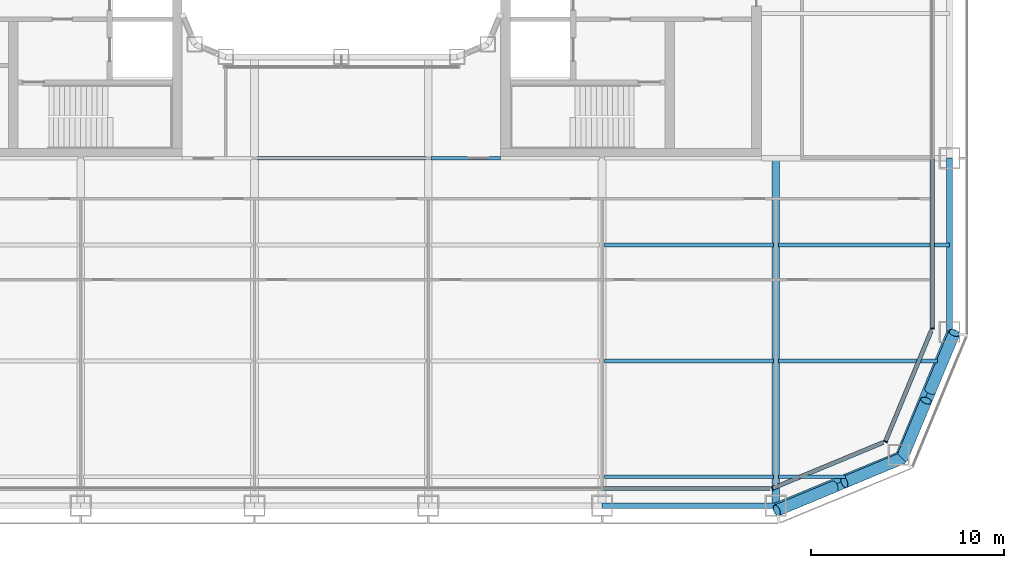
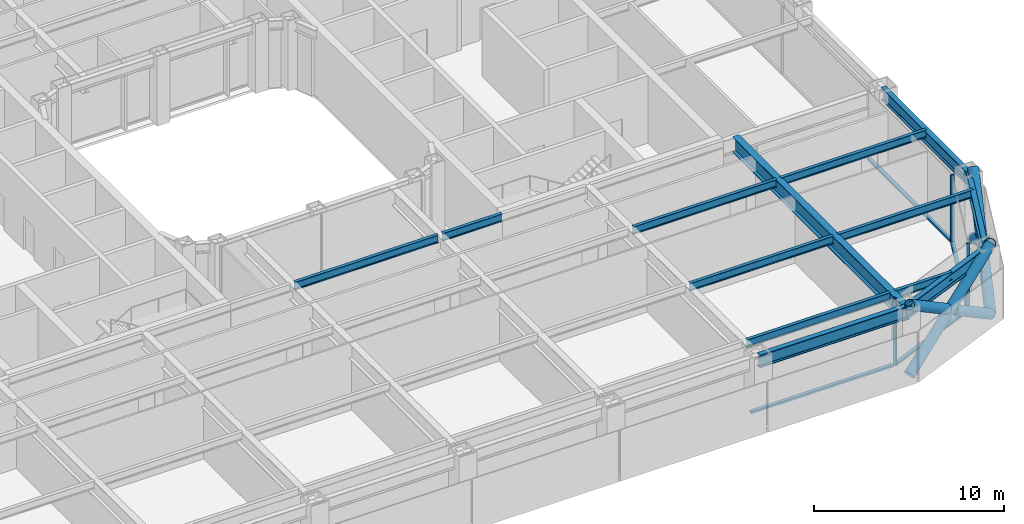
# One storey, part 4 of 30: 13 beams, 13 members, 4 elements without a shape of their own.
"""IFC4 building model written with IfcOpenShell, lengths in metres."""

from ifc_helpers import new_model, si_unit, direction, frame, origin, origin_2d, place, context, subcontext, project, spatial, rectangle, hollow_circle, i_section, extrude, material, layer, layer_set, material_profile, profile_set, type_object, element, aggregate, save


model = new_model("IFC4")

# Units and contexts
model_context = context("Model", 3, precision=1e-05, world=origin(), true_north=direction((0.0, 1.0)))
body_context = subcontext(model_context, "Body", "Model", "MODEL_VIEW")
ifc_project = project(units=[si_unit("LENGTHUNIT", "METRE"), si_unit("AREAUNIT", "SQUARE_METRE"), si_unit("VOLUMEUNIT", "CUBIC_METRE"), si_unit("PLANEANGLEUNIT", "RADIAN"), si_unit("MASSUNIT", "GRAM", prefix="KILO")], contexts=[model_context])

# Site, building, storey
site_placement = place(None, origin())
site = spatial("IfcSite", under=ifc_project, at=site_placement, CompositionType="ELEMENT")
building_placement = place(site_placement, origin())
building = spatial("IfcBuilding", under=site, at=building_placement, Name="Siwar Civic Tower", CompositionType="ELEMENT")
storey_placement = place(building_placement, frame((0.0, 0.0, 26.699951171875)))
storey = spatial("IfcBuildingStorey", under=building, at=storey_placement, Name="L05", CompositionType="ELEMENT", Elevation=26.699951171875)

# Curtain wall, member
ifc_material_1 = material(Name="Aluminium clad insulated panel", Category="aluminium")
ifc_layer_1 = layer(ifc_material_1, 0.219970703125)
ifc_layer_set_1 = layer_set([ifc_layer_1], Name="Aluminium clad insulated panel")
curtain_wall_type_1 = type_object("IfcCurtainWallType", Name="ENV-CW-AX", PredefinedType="NOTDEFINED", material=ifc_layer_set_1)
curtain_wall_1_placement = place(storey_placement, origin())
curtain_wall_1 = element("IfcCurtainWall", 1, at=curtain_wall_1_placement, inside=storey, type_object=curtain_wall_type_1, Name="Curtain wall A SE1", PredefinedType="NOTDEFINED")
ifc_material_2 = material(Name="Aluminium 6063-T6", Category="aluminium")
ifc_material_profile_1 = material_profile(ifc_material_2, rectangle(XDim=0.219970703125, YDim=0.070068359375, at=origin_2d()), Name="AL 220x70")
ifc_profile_set_1 = profile_set([ifc_material_profile_1], Name="Aluminium 6063-T6")
member_type_1 = type_object("IfcMemberType", Name="ENV-MULLION-A", PredefinedType="MULLION", material=ifc_profile_set_1)
member_1_placement = place(storey_placement, frame((22.321044921875, -30.60009765625, 0.0), z_axis=(0.0, 0.0, 1.0), x_axis=(-0.382683432365, 0.923879532511, 0.0)))
member_1 = element("IfcMember", 2, at=member_1_placement, type_object=member_type_1, Name="Mullion A SE1 1", PredefinedType="MULLION", context=body_context, shape_type="SweptSolid", body=[
    extrude(rectangle(XDim=0.219970703125, YDim=0.070068359375, at=origin_2d()), origin(), (0.0, 0.0, 1.0), 4.35009765625),
])

curtain_wall_2_placement = place(storey_placement, origin())
curtain_wall_2 = element("IfcCurtainWall", 3, at=curtain_wall_2_placement, inside=storey, type_object=curtain_wall_type_1, Name="Curtain wall A SE2", PredefinedType="NOTDEFINED")
member_2_placement = place(storey_placement, frame((28.175048828125, -28.175048828125, 0.0), z_axis=(0.0, 0.0, 1.0), x_axis=(-0.923879532511, 0.382683432365, 0.0)))
member_2 = element("IfcMember", 4, at=member_2_placement, type_object=member_type_1, Name="Mullion A SE2 1", PredefinedType="MULLION", context=body_context, shape_type="SweptSolid", body=[
    extrude(rectangle(XDim=0.219970703125, YDim=0.070068359375, at=origin_2d()), origin(), (0.0, 0.0, 1.0), 4.35009765625),
])

ifc_material_3 = material(Name="Aluminium and glass", Category="aluminium")
ifc_layer_2 = layer(ifc_material_3, 0.219970703125)
ifc_layer_set_2 = layer_set([ifc_layer_2], Name="Aluminium and glass")
curtain_wall_type_2 = type_object("IfcCurtainWallType", Name="ENV-CW-A", PredefinedType="NOTDEFINED", material=ifc_layer_set_2)
curtain_wall_3_placement = place(storey_placement, origin())
curtain_wall_3 = element("IfcCurtainWall", 5, at=curtain_wall_3_placement, inside=storey, type_object=curtain_wall_type_2, Name="Curtain wall A E", PredefinedType="NOTDEFINED")
member_3_placement = place(storey_placement, frame((30.60009765625, -22.321044921875, 0.0), z_axis=(0.0, 0.0, 1.0), x_axis=(-1.0, 0.0, 0.0)))
member_3 = element("IfcMember", 6, at=member_3_placement, type_object=member_type_1, Name="Mullion A E 1", PredefinedType="MULLION", context=body_context, shape_type="SweptSolid", body=[
    extrude(rectangle(XDim=0.219970703125, YDim=0.070068359375, at=origin_2d()), origin(), (0.0, 0.0, 1.0), 4.35009765625),
])

curtain_wall_4_placement = place(storey_placement, origin())
curtain_wall_4 = element("IfcCurtainWall", 7, at=curtain_wall_4_placement, inside=storey, type_object=curtain_wall_type_2, Name="Curtain wall A S", PredefinedType="NOTDEFINED")
ifc_material_4 = material(Name="Aluminium 6063-T6", Category="aluminium")
ifc_material_profile_2 = material_profile(ifc_material_4, rectangle(XDim=0.219970703125, YDim=0.1201171875, at=origin_2d()), Name="AL 220x120")
ifc_profile_set_2 = profile_set([ifc_material_profile_2], Name="Aluminium 6063-T6")
member_type_2 = type_object("IfcMemberType", Name="ENV-TRANSOM-A", PredefinedType="USERDEFINED", material=ifc_profile_set_2)
member_4_placement = place(storey_placement, frame((13.534912109375, -30.60009765625, 0.06005859375), z_axis=(1.0, 0.0, 0.0), x_axis=(0.0, 1.0, 0.0)))
member_4 = element("IfcMember", 8, at=member_4_placement, type_object=member_type_2, Name="Transom A S 5", ObjectType="TRANSOM", PredefinedType="USERDEFINED", context=body_context, shape_type="SweptSolid", body=[
    extrude(rectangle(XDim=0.219970703125, YDim=0.1201171875, at=origin_2d()), origin(), (0.0, 0.0, 1.0), 8.66357421875),
])
aggregate(curtain_wall_4, [member_4])

# Member
member_5_placement = place(storey_placement, frame((22.353271484375, -30.586669921875, 0.06005859375), z_axis=(0.923873326341, 0.382698415042, 0.0), x_axis=(-0.382698415042, 0.923873326341, 0.0)))
member_5 = element("IfcMember", 9, at=member_5_placement, type_object=member_type_2, Name="Transom A SE1 1", ObjectType="TRANSOM", PredefinedType="USERDEFINED", context=body_context, shape_type="SweptSolid", body=[
    extrude(rectangle(XDim=0.219970703125, YDim=0.1201171875, at=origin_2d()), origin(), (0.0, 0.0, 1.0), 6.17919921875),
])

aggregate(curtain_wall_1, [member_1, member_5])

member_6_placement = place(storey_placement, frame((28.1884765625, -28.142822265625, 0.06005859375), z_axis=(0.382698415042, 0.923873326341, 0.0), x_axis=(-0.923873326341, 0.382698415042, 0.0)))
member_6 = element("IfcMember", 10, at=member_6_placement, type_object=member_type_2, Name="Transom A SE2 1", ObjectType="TRANSOM", PredefinedType="USERDEFINED", context=body_context, shape_type="SweptSolid", body=[
    extrude(rectangle(XDim=0.219970703125, YDim=0.1201171875, at=origin_2d()), origin(), (0.0, 0.0, 1.0), 6.17919921875),
])

aggregate(curtain_wall_2, [member_2, member_6])

member_7_placement = place(storey_placement, frame((30.60009765625, -22.285888671875, 0.06005859375), z_axis=(0.0, 1.0, 0.0), x_axis=(-1.0, 0.0, 0.0)))
member_7 = element("IfcMember", 11, at=member_7_placement, type_object=member_type_2, Name="Transom A E 1", ObjectType="TRANSOM", PredefinedType="USERDEFINED", context=body_context, shape_type="SweptSolid", body=[
    extrude(rectangle(XDim=0.219970703125, YDim=0.1201171875, at=origin_2d()), origin(), (0.0, 0.0, 1.0), 8.7509765625),
])

aggregate(curtain_wall_3, [member_3, member_7])

# Members
ifc_material_5 = material(Name="Steel S355", Category="steel")
ifc_material_profile_3 = material_profile(ifc_material_5, hollow_circle(Radius=0.304931640625, WallThickness=0.030029296875, at=origin_2d()), Name="CHS610x30")
ifc_profile_set_3 = profile_set([ifc_material_profile_3], Name="Steel S355")
member_type_3 = type_object("IfcMemberType", Name="STR-BR-CHS610x30", PredefinedType="BRACE", material=ifc_profile_set_3)
member_8_placement = place(storey_placement, frame((31.7451171875, -22.548828125, 0.0), z_axis=(-0.323905527954, -0.777554562952, 0.538975055633), x_axis=(0.923108759191, -0.384538969033, 0.0)))
element("IfcMember", 12, at=member_8_placement, inside=storey, type_object=member_type_3, Name="L05/brc/ASE1-4-0-1", PredefinedType="BRACE", context=body_context, shape_type="SweptSolid", body=[
    extrude(hollow_circle(Radius=0.304931640625, WallThickness=0.030029296875, at=origin_2d()), origin(), (0.0, 0.0, 1.0), 8.34912109375),
])
member_9_placement = place(storey_placement, frame((29.040771484375, -29.040771484375, 0.0), z_axis=(0.323922979564, 0.777542179573, 0.53898243227), x_axis=(-0.923099230484, 0.384561842466, 0.0)))
element("IfcMember", 13, at=member_9_placement, inside=storey, type_object=member_type_3, Name="L05/brc/ASE1-4-0-2", PredefinedType="BRACE", context=body_context, shape_type="SweptSolid", body=[
    extrude(hollow_circle(Radius=0.304931640625, WallThickness=0.030029296875, at=origin_2d()), origin(), (0.0, 0.0, 1.0), 3.84375),
])
member_10_placement = place(storey_placement, frame((30.500244140625, -25.537353515625, 2.428466796875), z_axis=(0.3238932121, 0.777559680196, 0.53897507446), x_axis=(-0.923114847559, 0.384524353215, 0.0)))
element("IfcMember", 14, at=member_10_placement, inside=storey, type_object=member_type_3, Name="L05/brc/ASE1-4-0-3", PredefinedType="BRACE", context=body_context, shape_type="SweptSolid", body=[
    extrude(hollow_circle(Radius=0.304931640625, WallThickness=0.030029296875, at=origin_2d()), origin(), (0.0, 0.0, 1.0), 3.843505859375),
])
member_11_placement = place(storey_placement, frame((22.548828125, -31.7451171875, 0.0), z_axis=(0.777554562952, 0.323905527954, 0.538975055633), x_axis=(-0.384538969033, 0.923108759191, 0.0)))
element("IfcMember", 15, at=member_11_placement, inside=storey, type_object=member_type_3, Name="L05/brc/ASE1-4-0-0", PredefinedType="BRACE", context=body_context, shape_type="SweptSolid", body=[
    extrude(hollow_circle(Radius=0.304931640625, WallThickness=0.030029296875, at=origin_2d()), origin(), (0.0, 0.0, 1.0), 8.34912109375),
])
member_12_placement = place(storey_placement, frame((29.040771484375, -29.040771484375, 0.0), z_axis=(-0.777542179573, -0.323922979564, 0.53898243227), x_axis=(0.384561842466, -0.923099230484, 0.0)))
element("IfcMember", 16, at=member_12_placement, inside=storey, type_object=member_type_3, Name="L05/brc/ASE1-4-0-4", PredefinedType="BRACE", context=body_context, shape_type="SweptSolid", body=[
    extrude(hollow_circle(Radius=0.304931640625, WallThickness=0.030029296875, at=origin_2d()), origin(), (0.0, 0.0, 1.0), 3.84375),
])
member_13_placement = place(storey_placement, frame((25.537353515625, -30.500244140625, 2.428466796875), z_axis=(-0.777559680196, -0.3238932121, 0.53897507446), x_axis=(0.384524353215, -0.923114847559, 0.0)))
element("IfcMember", 17, at=member_13_placement, inside=storey, type_object=member_type_3, Name="L05/brc/ASE1-4-0-5", PredefinedType="BRACE", context=body_context, shape_type="SweptSolid", body=[
    extrude(hollow_circle(Radius=0.304931640625, WallThickness=0.030029296875, at=origin_2d()), origin(), (0.0, 0.0, 1.0), 3.843505859375),
])

# Beams
ifc_material_6 = material(Name="Steel S355", Category="steel")
ifc_material_profile_4 = material_profile(ifc_material_6, i_section(OverallWidth=0.199951171875, OverallDepth=0.5, WebThickness=0.01025390625, FlangeThickness=0.01611328125, FilletRadius=0.02099609375, at=origin_2d()), Name="IPE500")
ifc_profile_set_4 = profile_set([ifc_material_profile_4], Name="Steel S355")
beam_type_1 = type_object("IfcBeamType", Name="STR-FB-IPE500", PredefinedType="JOIST", material=ifc_profile_set_4)
beam_1_placement = place(storey_placement, frame((13.6298828125, -30.0, 4.10009765625), z_axis=(1.0, 0.0, 0.0), x_axis=(0.0, 1.0, 0.0)))
element("IfcBeam", 18, at=beam_1_placement, inside=storey, type_object=beam_type_1, Name="L05/bm/F006", PredefinedType="JOIST", context=body_context, shape_type="SweptSolid", body=[
    extrude(i_section(OverallWidth=0.199951171875, OverallDepth=0.5, WebThickness=0.01025390625, FlangeThickness=0.01611328125, FilletRadius=0.02099609375, at=origin_2d()), origin(), (0.0, 0.0, 1.0), 8.740234375),
])
beam_2_placement = place(storey_placement, frame((22.6298828125, -30.0, 4.10009765625), z_axis=(1.0, 0.0, 0.0), x_axis=(0.0, 1.0, 0.0)))
element("IfcBeam", 19, at=beam_2_placement, inside=storey, type_object=beam_type_1, Name="L05/bm/F007", PredefinedType="JOIST", context=body_context, shape_type="SweptSolid", body=[
    extrude(i_section(OverallWidth=0.199951171875, OverallDepth=0.5, WebThickness=0.01025390625, FlangeThickness=0.01611328125, FilletRadius=0.02099609375, at=origin_2d()), origin(), (0.0, 0.0, 1.0), 3.491455078125),
])
beam_3_placement = place(storey_placement, frame((13.6298828125, -24.0, 4.10009765625), z_axis=(1.0, 0.0, 0.0), x_axis=(0.0, 1.0, 0.0)))
element("IfcBeam", 20, at=beam_3_placement, inside=storey, type_object=beam_type_1, Name="L05/bm/F013", PredefinedType="JOIST", context=body_context, shape_type="SweptSolid", body=[
    extrude(i_section(OverallWidth=0.199951171875, OverallDepth=0.5, WebThickness=0.01025390625, FlangeThickness=0.01611328125, FilletRadius=0.02099609375, at=origin_2d()), origin(), (0.0, 0.0, 1.0), 8.740234375),
])
beam_4_placement = place(storey_placement, frame((22.6298828125, -24.0, 4.10009765625), z_axis=(1.0, 0.0, 0.0), x_axis=(0.0, 1.0, 0.0)))
element("IfcBeam", 21, at=beam_4_placement, inside=storey, type_object=beam_type_1, Name="L05/bm/F014", PredefinedType="JOIST", context=body_context, shape_type="SweptSolid", body=[
    extrude(i_section(OverallWidth=0.199951171875, OverallDepth=0.5, WebThickness=0.01025390625, FlangeThickness=0.01611328125, FilletRadius=0.02099609375, at=origin_2d()), origin(), (0.0, 0.0, 1.0), 8.248779296875),
])
beam_5_placement = place(storey_placement, frame((13.6298828125, -18.0, 4.10009765625), z_axis=(1.0, 0.0, 0.0), x_axis=(0.0, 1.0, 0.0)))
element("IfcBeam", 22, at=beam_5_placement, inside=storey, type_object=beam_type_1, Name="L05/bm/F020", PredefinedType="JOIST", context=body_context, shape_type="SweptSolid", body=[
    extrude(i_section(OverallWidth=0.199951171875, OverallDepth=0.5, WebThickness=0.01025390625, FlangeThickness=0.01611328125, FilletRadius=0.02099609375, at=origin_2d()), origin(), (0.0, 0.0, 1.0), 8.740234375),
])
beam_6_placement = place(storey_placement, frame((22.6298828125, -18.0, 4.10009765625), z_axis=(1.0, 0.0, 0.0), x_axis=(0.0, 1.0, 0.0)))
element("IfcBeam", 23, at=beam_6_placement, inside=storey, type_object=beam_type_1, Name="L05/bm/F021", PredefinedType="JOIST", context=body_context, shape_type="SweptSolid", body=[
    extrude(i_section(OverallWidth=0.199951171875, OverallDepth=0.5, WebThickness=0.01025390625, FlangeThickness=0.01611328125, FilletRadius=0.02099609375, at=origin_2d()), origin(), (0.0, 0.0, 1.0), 8.8701171875),
])
beam_7_placement = place(storey_placement, frame((-4.3701171875, -13.5, 4.10009765625), z_axis=(1.0, 0.0, 0.0), x_axis=(0.0, 1.0, 0.0)))
element("IfcBeam", 24, at=beam_7_placement, inside=storey, type_object=beam_type_1, Name="L05/bm/F026", PredefinedType="JOIST", context=body_context, shape_type="SweptSolid", body=[
    extrude(i_section(OverallWidth=0.199951171875, OverallDepth=0.5, WebThickness=0.01025390625, FlangeThickness=0.01611328125, FilletRadius=0.02099609375, at=origin_2d()), origin(), (0.0, 0.0, 1.0), 8.740234375),
])
beam_8_placement = place(storey_placement, frame((4.6298828125, -13.5, 4.10009765625), z_axis=(1.0, 0.0, 0.0), x_axis=(0.0, 1.0, 0.0)))
element("IfcBeam", 25, at=beam_8_placement, inside=storey, type_object=beam_type_1, Name="L05/bm/F027", PredefinedType="JOIST", context=body_context, shape_type="SweptSolid", body=[
    extrude(i_section(OverallWidth=0.199951171875, OverallDepth=0.5, WebThickness=0.01025390625, FlangeThickness=0.01611328125, FilletRadius=0.02099609375, at=origin_2d()), origin(), (0.0, 0.0, 1.0), 3.6201171875),
])
ifc_material_7 = material(Name="Steel S355", Category="steel")
ifc_material_profile_5 = material_profile(ifc_material_7, i_section(OverallWidth=0.39990234375, OverallDepth=1.0, WebThickness=0.01611328125, FlangeThickness=0.0400390625, at=origin_2d()), Name="PG1000x400x16x40")
ifc_profile_set_5 = profile_set([ifc_material_profile_5], Name="Steel S355")
beam_type_2 = type_object("IfcBeamType", Name="STR-PG-PG1000x400x16x40", PredefinedType="BEAM", material=ifc_profile_set_5)
beam_9_placement = place(storey_placement, frame((22.5, -31.5, 3.85009765625), z_axis=(0.0, 1.0, 0.0), x_axis=(-1.0, 0.0, 0.0)))
element("IfcBeam", 26, at=beam_9_placement, inside=storey, type_object=beam_type_2, Name="L05/bm/G11", PredefinedType="BEAM", context=body_context, shape_type="SweptSolid", body=[
    extrude(i_section(OverallWidth=0.39990234375, OverallDepth=1.0, WebThickness=0.01611328125, FlangeThickness=0.0400390625, at=origin_2d()), origin(), (0.0, 0.0, 1.0), 18.0),
])
ifc_material_8 = material(Name="Steel S355", Category="steel")
ifc_material_profile_6 = material_profile(ifc_material_8, i_section(OverallWidth=0.302978515625, OverallDepth=0.81396484375, WebThickness=0.02099609375, FlangeThickness=0.0400390625, FilletRadius=0.030029296875, at=origin_2d()), Name="HEM800")
ifc_profile_set_6 = profile_set([ifc_material_profile_6], Name="Steel S355")
beam_type_3 = type_object("IfcBeamType", Name="STR-SB-HEM800", PredefinedType="BEAM", material=ifc_profile_set_6)
beam_10_placement = place(storey_placement, frame((13.5, -31.5, 3.943115234375), z_axis=(1.0, 0.0, 0.0), x_axis=(0.0, 1.0, 0.0)))
element("IfcBeam", 27, at=beam_10_placement, inside=storey, type_object=beam_type_3, Name="L05/bm/SS-4", PredefinedType="BEAM", context=body_context, shape_type="SweptSolid", body=[
    extrude(i_section(OverallWidth=0.302978515625, OverallDepth=0.81396484375, WebThickness=0.02099609375, FlangeThickness=0.0400390625, FilletRadius=0.030029296875, at=origin_2d()), origin(), (0.0, 0.0, 1.0), 9.0),
])
for number, where, z_axis, x_axis, name in (
    (28, (22.5, -31.5, 3.943115234375), (0.923883353507, 0.382674207535, 0.0), (-0.382674207535, 0.923883353507, 0.0), "L05/bm/SSE1-0"),
    (29, (28.864013671875, -28.864013671875, 3.943115234375), (0.382674207535, 0.923883353507, 0.0), (-0.923883353507, 0.382674207535, 0.0), "L05/bm/SSE2-0"),
):
    element("IfcBeam", number, at=place(storey_placement, frame(where, z_axis=z_axis, x_axis=x_axis)), inside=storey, type_object=beam_type_3, Name=name, PredefinedType="BEAM", context=body_context, shape_type="SweptSolid", body=[
        extrude(i_section(OverallWidth=0.302978515625, OverallDepth=0.81396484375, WebThickness=0.02099609375, FlangeThickness=0.0400390625, FilletRadius=0.030029296875, at=origin_2d()), origin(), (0.0, 0.0, 1.0), 6.888427734375),
    ])
beam_11_placement = place(storey_placement, frame((31.5, -22.5, 3.943115234375), z_axis=(0.0, 1.0, 0.0), x_axis=(-1.0, 0.0, 0.0)))
element("IfcBeam", 30, at=beam_11_placement, inside=storey, type_object=beam_type_3, Name="L05/bm/SE-0", PredefinedType="BEAM", context=body_context, shape_type="SweptSolid", body=[
    extrude(i_section(OverallWidth=0.302978515625, OverallDepth=0.81396484375, WebThickness=0.02099609375, FlangeThickness=0.0400390625, FilletRadius=0.030029296875, at=origin_2d()), origin(), (0.0, 0.0, 1.0), 9.0),
])

save(model, "model.ifc")
